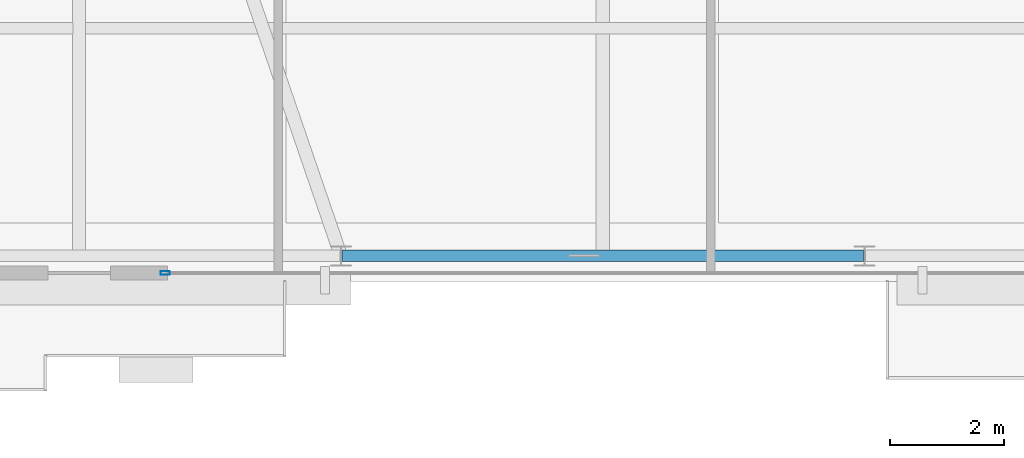
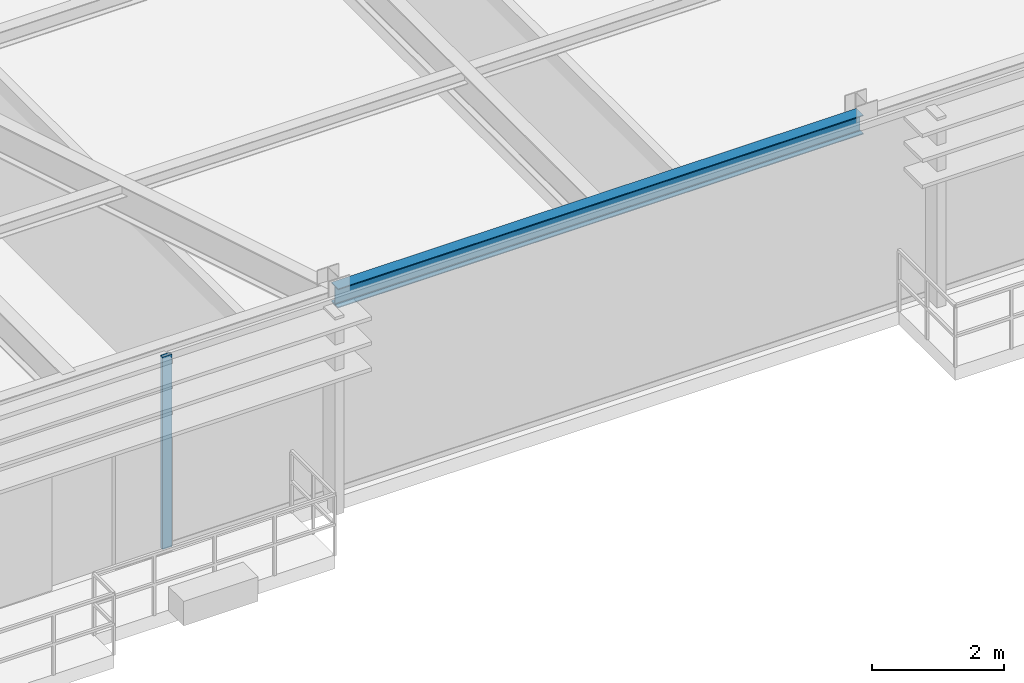
# One storey, part 8 of 30: 1 beam, 1 member, 1 element without a shape of its own.
"""IFC4 building model written with IfcOpenShell, lengths in metres."""

from ifc_helpers import new_model, si_unit, direction, frame, origin, origin_2d, place, context, subcontext, project, spatial, hollow_rectangle, i_section, extrude, source, transform, mapped, material, layer, layer_set, material_profile, profile_set, type_object, type_shapes, element, aggregate, save


model = new_model("IFC4")

# Units and contexts
model_context = context("Model", 3, precision=1e-05, world=origin(), true_north=direction((0.0, 1.0)))
body_context = subcontext(model_context, "Body", "Model", "MODEL_VIEW")
ifc_project = project(units=[si_unit("LENGTHUNIT", "METRE"), si_unit("AREAUNIT", "SQUARE_METRE"), si_unit("VOLUMEUNIT", "CUBIC_METRE"), si_unit("PLANEANGLEUNIT", "RADIAN"), si_unit("MASSUNIT", "GRAM", prefix="KILO")], contexts=[model_context])

# Site, building, storey
site_placement = place(None, origin())
site = spatial("IfcSite", under=ifc_project, at=site_placement, CompositionType="ELEMENT")
building_placement = place(site_placement, origin())
building = spatial("IfcBuilding", under=site, at=building_placement, Name="Varnel Quay Broadcast Tower", CompositionType="ELEMENT")
storey_placement = place(building_placement, frame((0.0, 0.0, 207.39990234375)))
storey = spatial("IfcBuildingStorey", under=building, at=storey_placement, Name="L51", CompositionType="ELEMENT", Elevation=207.39990234375)

# Beam
ifc_material_1 = material(Name="Structural Steel CSA G40.21 350W", Category="steel")
ifc_material_profile_1 = material_profile(ifc_material_1, i_section(OverallWidth=0.205078125, OverallDepth=0.35400390625, WebThickness=0.009521484375, FlangeThickness=0.016845703125, FilletRadius=0.012939453125, at=origin_2d()), Name="W360X79")
ifc_profile_set_1 = profile_set([ifc_material_profile_1], Name="Structural Steel CSA G40.21 350W")
beam_type = type_object("IfcBeamType", Name="Beam_W360X79", PredefinedType="SPANDREL", material=ifc_profile_set_1)
shared_shape_1 = source(origin(), body_context, "Body", "SweptSolid", [
    extrude(i_section(OverallWidth=0.205078125, OverallDepth=0.35400390625, WebThickness=0.009521484375, FlangeThickness=0.016845703125, FilletRadius=0.012939453125, at=origin_2d()), origin(), (0.0, 0.0, 1.0), 9.16015625),
])
type_shapes(beam_type, [shared_shape_1])
beam_placement = place(storey_placement, frame((29.419921875, 10.64990234375, 3.373046875), z_axis=(1.0, 0.0, 0.0), x_axis=(0.0, 1.0, 0.0)))
element("IfcBeam", 1, at=beam_placement, inside=storey, type_object=beam_type, Name="L51 South Spandrel TC-S2-TC-S3", PredefinedType="SPANDREL", context=body_context, shape_type="MappedRepresentation", body=[
    mapped(shared_shape_1, transform((0.0, 0.0, 0.0), x_axis=(1.0, 0.0, 0.0), y_axis=(0.0, 1.0, 0.0), z_axis=(0.0, 0.0, 1.0), scale=1.0)),
])

# Curtain wall, member
ifc_material_2 = material(Name="Anodised Bronze Aluminium 6063-T6", Category="aluminium")
ifc_layer = layer(ifc_material_2, 0.18994140625, Name="Anodised Bronze Aluminium 6063-T6")
ifc_layer_set = layer_set([ifc_layer], Name="Anodised Bronze Aluminium 6063-T6")
curtain_wall_type = type_object("IfcCurtainWallType", Name="CW_UpperTower", PredefinedType="NOTDEFINED", material=ifc_layer_set)
curtain_wall_placement = place(storey_placement, origin())
curtain_wall = element("IfcCurtainWall", 2, at=curtain_wall_placement, inside=storey, type_object=curtain_wall_type, Name="L51 South Unitised Curtain Wall 2", PredefinedType="NOTDEFINED")
ifc_material_profile_2 = material_profile(ifc_material_2, hollow_rectangle(XDim=0.06494140625, YDim=0.1650390625, WallThickness=0.00341796875, at=origin_2d()), Name="ALU65X165X3.5")
ifc_profile_set_2 = profile_set([ifc_material_profile_2], Name="Anodised Bronze Aluminium 6063-T6")
member_type = type_object("IfcMemberType", Name="Mull_CWS-03", PredefinedType="MULLION", material=ifc_profile_set_2)
shared_shape_2 = source(origin(), body_context, "Body", "SweptSolid", [
    extrude(hollow_rectangle(XDim=0.06494140625, YDim=0.1650390625, WallThickness=0.00341796875, at=origin_2d()), origin(), (0.0, 0.0, 1.0), 3.550048828125),
])
type_shapes(member_type, [shared_shape_2])
member_placement = place(storey_placement, frame((26.3125, 10.35009765625, 0.0), z_axis=(0.0, 0.0, 1.0), x_axis=(0.0, 1.0, 0.0)))
member = element("IfcMember", 3, at=member_placement, type_object=member_type, Name="CWS-03 mullion 1", PredefinedType="MULLION", context=body_context, shape_type="MappedRepresentation", body=[
    mapped(shared_shape_2, transform((0.0, 0.0, 0.0), x_axis=(1.0, 0.0, 0.0), y_axis=(0.0, 1.0, 0.0), z_axis=(0.0, 0.0, 1.0), scale=1.0)),
])
aggregate(curtain_wall, [member])

save(model, "model.ifc")
